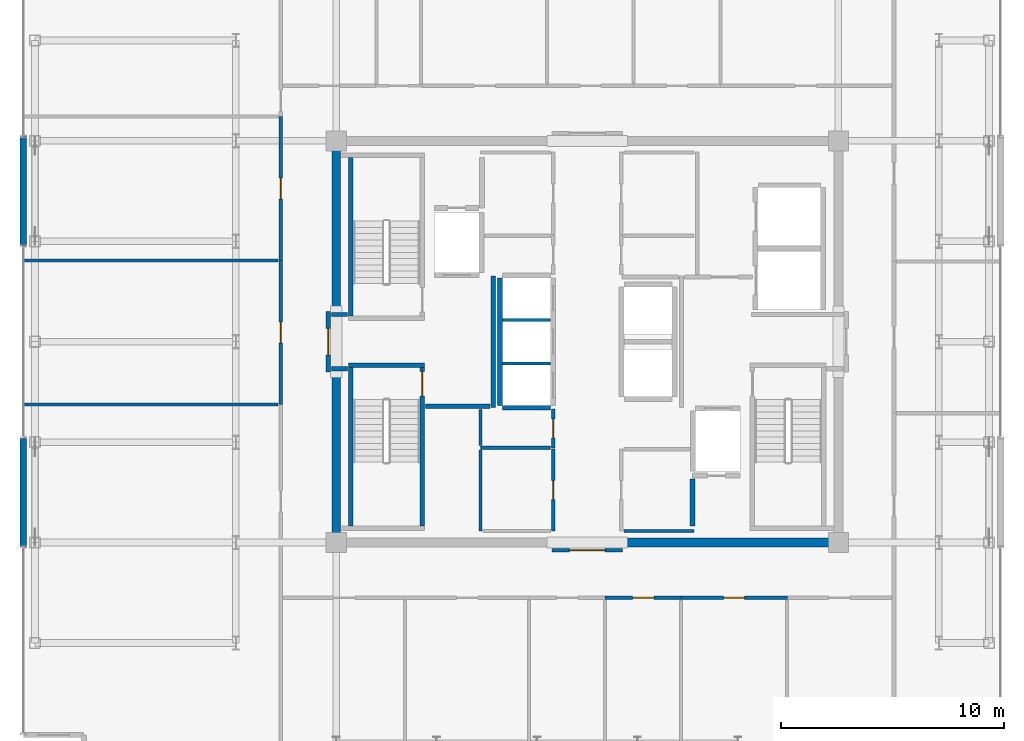
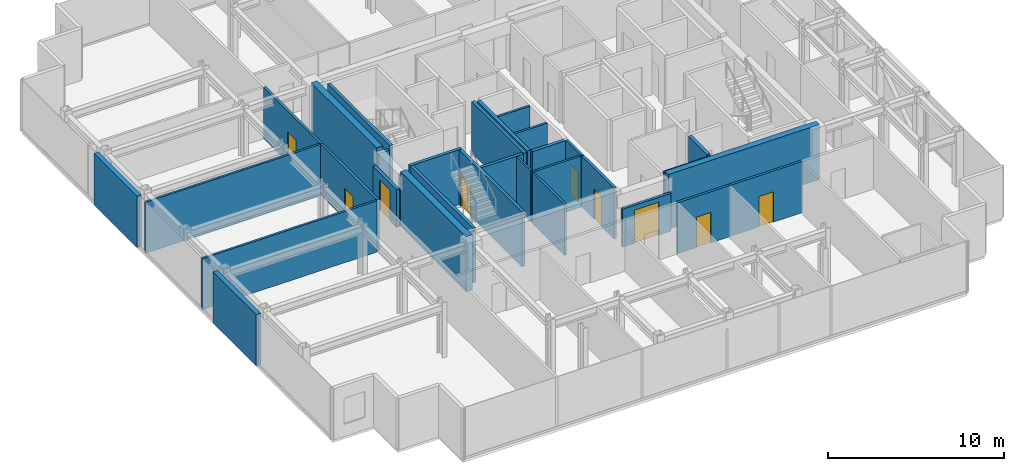
# One storey, part 11 of 16: 32 walls, 9 doors, 9 openings.
"""IFC4 building model written with IfcOpenShell, lengths in metres."""

from ifc_helpers import new_model, si_unit, direction, frame, frame_2d, origin, place, context, subcontext, project, spatial, rectangle, extrude, source, transform, mapped, material, layer, layer_set, type_object, element, fill, save


model = new_model("IFC4")

# Units and contexts
model_context = context("Model", 3, precision=1e-05, world=origin(), true_north=direction((0.0, 1.0)))
body_context = subcontext(model_context, "Body", "Model", "MODEL_VIEW")
ifc_project = project(units=[si_unit("LENGTHUNIT", "METRE"), si_unit("AREAUNIT", "SQUARE_METRE"), si_unit("VOLUMEUNIT", "CUBIC_METRE"), si_unit("PLANEANGLEUNIT", "RADIAN"), si_unit("MASSUNIT", "GRAM", prefix="KILO")], contexts=[model_context])

# Site, building, storey
site_placement = place(None, origin())
site = spatial("IfcSite", under=ifc_project, at=site_placement, CompositionType="ELEMENT")
building_placement = place(site_placement, origin())
building = spatial("IfcBuilding", under=site, at=building_placement, Name="Nefas-Gora Pilgrimage Tower", CompositionType="ELEMENT")
storey_placement = place(building_placement, frame((0.0, 0.0, 333.800048828125)))
storey = spatial("IfcBuildingStorey", under=building, at=storey_placement, Name="L84", CompositionType="ELEMENT", Elevation=333.800048828125)

# Walls
ifc_material_1 = material(Name="Concrete C50/60", Category="concrete")
ifc_layer_1 = layer(ifc_material_1, 0.39990234375)
ifc_layer_set_1 = layer_set([ifc_layer_1], Name="Concrete C50/60")
wall_type_1 = type_object("IfcWallType", Name="SW-CORE-400", PredefinedType="SHEAR", material=ifc_layer_set_1)
shared_shape_1 = source(origin(), body_context, "Body", "SweptSolid", [
    extrude(rectangle(XDim=9.89990234375, YDim=0.39990234375, at=frame_2d((4.949951171875, 0.0))), origin(), (0.0, 0.0, 1.0), 3.800048828125),
])
wall_1_placement = place(storey_placement, frame((1.550048828125, -9.0, 0.0), z_axis=(0.0, 0.0, 1.0), x_axis=(1.0, 0.0, 0.0)))
element("IfcWall", 1, at=wall_1_placement, inside=storey, type_object=wall_type_1, Name="L84 Core Shear Wall S-East", PredefinedType="SHEAR", context=body_context, shape_type="MappedRepresentation", body=[
    mapped(shared_shape_1, transform((0.0, 0.0, 0.0), x_axis=(1.0, 0.0, 0.0), y_axis=(0.0, 1.0, 0.0), z_axis=(0.0, 0.0, 1.0), scale=1.0)),
])
shared_shape_2 = source(origin(), body_context, "Body", "SweptSolid", [
    extrude(rectangle(XDim=7.449951171875, YDim=0.39990234375, at=frame_2d((3.72509765625, 0.0))), origin(), (0.0, 0.0, 1.0), 3.800048828125),
])
for number, where, z_axis, x_axis, name in (
    (2, (-11.25, -8.800048828125, 0.0), (0.0, 0.0, 1.0), (0.0, 1.0, 0.0), "L84 Core Shear Wall W-South"),
    (3, (-11.25, 1.35009765625, 0.0), (0.0, 0.0, 1.0), (0.0, 1.0, 0.0), "L84 Core Shear Wall W-North"),
):
    element("IfcWall", number, at=place(storey_placement, frame(where, z_axis=z_axis, x_axis=x_axis)), inside=storey, type_object=wall_type_1, Name=name, PredefinedType="SHEAR", context=body_context, shape_type="MappedRepresentation", body=[
        mapped(shared_shape_2, transform((0.0, 0.0, 0.0), x_axis=(1.0, 0.0, 0.0), y_axis=(0.0, 1.0, 0.0), z_axis=(0.0, 0.0, 1.0), scale=1.0)),
    ])
ifc_material_2 = material(Name="Precast concrete C45/55", Category="concrete")
ifc_layer_2 = layer(ifc_material_2, 0.239990234375)
ifc_layer_set_2 = layer_set([ifc_layer_2], Name="Precast concrete C45/55")
wall_type_2 = type_object("IfcWallType", Name="EW-SERR-240", PredefinedType="SHEAR", material=ifc_layer_set_2)
shared_shape_3 = source(origin(), body_context, "Body", "SweptSolid", [
    extrude(rectangle(XDim=4.8798828125, YDim=0.300048828125, at=frame_2d((2.43994140625, 0.0))), origin(), (0.0, 0.0, 1.0), 3.550048828125),
])
for number, where, z_axis, x_axis, name in (
    (4, (-25.27001953125, -9.18994140625, 0.0), (0.0, 0.0, 1.0), (0.0, 1.0, 0.0), "L84 Braced-Tube Precast Shear Cladding 1"),
    (5, (-25.27001953125, 4.31005859375, 0.0), (0.0, 0.0, 1.0), (0.0, 1.0, 0.0), "L84 Braced-Tube Precast Shear Cladding 2"),
):
    element("IfcWall", number, at=place(storey_placement, frame(where, z_axis=z_axis, x_axis=x_axis)), inside=storey, type_object=wall_type_2, Name=name, PredefinedType="SHEAR", context=body_context, shape_type="MappedRepresentation", body=[
        mapped(shared_shape_3, transform((0.0, 0.0, 0.0), x_axis=(1.0, 0.0, 0.0), y_axis=(0.0, 1.0, 0.0), z_axis=(0.0, 0.0, 1.0), scale=1.0)),
    ])
ifc_material_3 = material(Name="Concrete C45/55", Category="concrete")
ifc_layer_3 = layer(ifc_material_3, 0.199951171875)
ifc_layer_set_3 = layer_set([ifc_layer_3], Name="Concrete C45/55")
wall_type_3 = type_object("IfcWallType", Name="IW-STAIR-200", PredefinedType="SOLIDWALL", material=ifc_layer_set_3)
shared_shape_4 = source(origin(), body_context, "Body", "SweptSolid", [
    extrude(rectangle(XDim=3.39990234375, YDim=0.199951171875, at=frame_2d((1.699951171875, 0.0))), origin(), (0.0, 0.0, 1.0), 3.800048828125),
])
wall_2_placement = place(storey_placement, frame((-10.699951171875, -1.050048828125, 0.0), z_axis=(0.0, 0.0, 1.0), x_axis=(1.0, 0.0, 0.0)))
element("IfcWall", 6, at=wall_2_placement, inside=storey, type_object=wall_type_3, Name="L84 Stairwell Shear Wall ST-03-near", PredefinedType="SOLIDWALL", context=body_context, shape_type="MappedRepresentation", body=[
    mapped(shared_shape_4, transform((0.0, 0.0, 0.0), x_axis=(1.0, 0.0, 0.0), y_axis=(0.0, 1.0, 0.0), z_axis=(0.0, 0.0, 1.0), scale=1.0)),
])
shared_shape_5 = source(origin(), body_context, "Body", "SweptSolid", [
    extrude(rectangle(XDim=7.10009765625, YDim=0.199951171875, at=frame_2d((3.550048828125, 0.0))), origin(), (0.0, 0.0, 1.0), 3.800048828125),
])
for number, where, z_axis, x_axis, name in (
    (7, (-10.60009765625, 1.14990234375, 0.0), (0.0, 0.0, 1.0), (0.0, 1.0, 0.0), "L84 Stairwell Shear Wall ST-01-right"),
    (8, (-10.60009765625, -1.14990234375, 0.0), (0.0, 0.0, 1.0), (0.0, -1.0, 0.0), "L84 Stairwell Shear Wall ST-03-left"),
):
    element("IfcWall", number, at=place(storey_placement, frame(where, z_axis=z_axis, x_axis=x_axis)), inside=storey, type_object=wall_type_3, Name=name, PredefinedType="SOLIDWALL", context=body_context, shape_type="MappedRepresentation", body=[
        mapped(shared_shape_5, transform((0.0, 0.0, 0.0), x_axis=(1.0, 0.0, 0.0), y_axis=(0.0, 1.0, 0.0), z_axis=(0.0, 0.0, 1.0), scale=1.0)),
    ])

# Wall, opening, door
wall_3_placement = place(storey_placement, frame((-7.39990234375, -1.14990234375, 0.0), z_axis=(0.0, 0.0, 1.0), x_axis=(0.0, -1.0, 0.0)))
wall_3 = element("IfcWall", 9, at=wall_3_placement, inside=storey, type_object=wall_type_3, Name="L84 Stairwell Shear Wall ST-03-right", PredefinedType="SOLIDWALL", context=body_context, shape_type="MappedRepresentation", body=[
    mapped(shared_shape_5, transform((0.0, 0.0, 0.0), x_axis=(1.0, 0.0, 0.0), y_axis=(0.0, 1.0, 0.0), z_axis=(0.0, 0.0, 1.0), scale=1.0)),
])
opening_1_placement = place(wall_3_placement, frame((0.179931640625, 0.0, 0.0)))
opening_1 = element("IfcOpeningElement", 10, at=opening_1_placement, cuts=wall_3, Name="Opening ID-ST1", PredefinedType="OPENING", context=body_context, shape_type="SweptSolid", body=[
    extrude(rectangle(XDim=1.10009765625, YDim=2.14990234375, at=frame_2d((0.550048828125, 1.074951171875))), frame((0.0, 0.10986328125, 0.0), z_axis=(0.0, -1.0, 0.0), x_axis=(1.0, 0.0, 0.0)), (0.0, 0.0, 1.0), 0.219970703125),
])
ifc_material_4 = material(Name="Painted galvanised steel fire stair door", Category="steel")
door_type_1 = type_object("IfcDoorType", Name="DR-INT-STAIR-1100", OperationType="NOTDEFINED", PredefinedType="DOOR", material=ifc_material_4)
shared_shape_6 = source(origin(), body_context, "Body", "SweptSolid", [
    extrude(rectangle(XDim=1.10009765625, YDim=2.14990234375, at=frame_2d((0.550048828125, 1.074951171875))), frame((0.0, 0.02490234375, 0.0), z_axis=(0.0, -1.0, 0.0), x_axis=(1.0, 0.0, 0.0)), (0.0, 0.0, 1.0), 0.050048828125),
])
door_1_placement = place(opening_1_placement, origin())
door_1 = element("IfcDoor", 11, at=door_1_placement, inside=storey, type_object=door_type_1, Name="L84 Protected Exit Stair Door ST-03", OperationType="SINGLE_SWING_RIGHT", OverallHeight=2.14990234375, OverallWidth=1.10009765625, PredefinedType="DOOR", context=body_context, shape_type="MappedRepresentation", body=[
    mapped(shared_shape_6, transform((0.0, 0.0, 0.0), x_axis=(1.0, 0.0, 0.0), y_axis=(0.0, 1.0, 0.0), z_axis=(0.0, 0.0, 1.0), scale=1.0)),
])
fill(opening_1, door_1)

# Walls
ifc_material_5 = material(Name="Concrete C40/50", Category="concrete")
ifc_layer_4 = layer(ifc_material_5, 0.219970703125)
ifc_layer_set_4 = layer_set([ifc_layer_4], Name="Concrete C40/50")
wall_type_4 = type_object("IfcWallType", Name="IW-SHAFT-220", PredefinedType="SOLIDWALL", material=ifc_layer_set_4)
shared_shape_7 = source(origin(), body_context, "Body", "SweptSolid", [
    extrude(rectangle(XDim=5.7001953125, YDim=0.219970703125, at=frame_2d((2.85009765625, 0.0))), origin(), (0.0, 0.0, 1.0), 3.534912109375),
])
wall_4_placement = place(storey_placement, frame((-3.909912109375, 2.85009765625, 0.0), z_axis=(0.0, 0.0, 1.0), x_axis=(0.0, -1.0, 0.0)))
element("IfcWall", 12, at=wall_4_placement, inside=storey, type_object=wall_type_4, Name="L84 Hoistway Wall PL3-01-03-W", PredefinedType="SOLIDWALL", context=body_context, shape_type="MappedRepresentation", body=[
    mapped(shared_shape_7, transform((0.0, 0.0, 0.0), x_axis=(1.0, 0.0, 0.0), y_axis=(0.0, 1.0, 0.0), z_axis=(0.0, 0.0, 1.0), scale=1.0)),
])
shared_shape_8 = source(origin(), body_context, "Body", "SweptSolid", [
    extrude(rectangle(XDim=2.130126953125, YDim=0.219970703125, at=frame_2d((1.06494140625, 0.0))), origin(), (0.0, 0.0, 1.0), 3.534912109375),
])
wall_5_placement = place(storey_placement, frame((-3.7900390625, -2.9599609375, 0.0), z_axis=(0.0, 0.0, 1.0), x_axis=(1.0, 0.0, 0.0)))
element("IfcWall", 13, at=wall_5_placement, inside=storey, type_object=wall_type_4, Name="L84 Hoistway Wall PL3-01-S", PredefinedType="SOLIDWALL", context=body_context, shape_type="MappedRepresentation", body=[
    mapped(shared_shape_8, transform((0.0, 0.0, 0.0), x_axis=(1.0, 0.0, 0.0), y_axis=(0.0, 1.0, 0.0), z_axis=(0.0, 0.0, 1.0), scale=1.0)),
])
ifc_material_6 = material(Name="Gypsum twin-stud partition")
ifc_layer_5 = layer(ifc_material_6, 0.139892578125)
ifc_layer_set_5 = layer_set([ifc_layer_5], Name="Gypsum twin-stud partition")
wall_type_5 = type_object("IfcWallType", Name="IW-UNIT-140", PredefinedType="PARTITIONING", material=ifc_layer_set_5)
shared_shape_9 = source(origin(), body_context, "Body", "SweptSolid", [
    extrude(rectangle(XDim=2.130126953125, YDim=0.139892578125, at=frame_2d((1.06494140625, 0.0))), origin(), (0.0, 0.0, 1.0), 3.534912109375),
])
for number, where, z_axis, x_axis, name in (
    (14, (-3.7900390625, -0.97509765625, 0.0), (0.0, 0.0, 1.0), (1.0, 0.0, 0.0), "L84 Hoistway Wall PL3-01-02-DIV"),
    (15, (-3.7900390625, 0.97509765625, 0.0), (0.0, 0.0, 1.0), (1.0, 0.0, 0.0), "L84 Hoistway Wall PL3-02-03-DIV"),
):
    element("IfcWall", number, at=place(storey_placement, frame(where, z_axis=z_axis, x_axis=x_axis)), inside=storey, type_object=wall_type_5, Name=name, PredefinedType="PARTITIONING", context=body_context, shape_type="MappedRepresentation", body=[
        mapped(shared_shape_9, transform((0.0, 0.0, 0.0), x_axis=(1.0, 0.0, 0.0), y_axis=(0.0, 1.0, 0.0), z_axis=(0.0, 0.0, 1.0), scale=1.0)),
    ])
ifc_material_7 = material(Name="Gypsum fire-rated shaftwall")
ifc_layer_6 = layer(ifc_material_7, 0.199951171875)
ifc_layer_set_6 = layer_set([ifc_layer_6], Name="Gypsum fire-rated shaftwall")
wall_type_6 = type_object("IfcWallType", Name="IW-FFLOB-200", PredefinedType="PARTITIONING", material=ifc_layer_set_6)
shared_shape_10 = source(origin(), body_context, "Body", "SweptSolid", [
    extrude(rectangle(XDim=5.89990234375, YDim=0.199951171875, at=frame_2d((2.949951171875, 0.0))), origin(), (0.0, 0.0, 1.0), 3.534912109375),
])
wall_6_placement = place(storey_placement, frame((-4.219970703125, -2.949951171875, 0.0), z_axis=(0.0, 0.0, 1.0), x_axis=(0.0, 1.0, 0.0)))
element("IfcWall", 16, at=wall_6_placement, inside=storey, type_object=wall_type_6, Name="L84 FF Lobby West Inner Wall Wall 6", PredefinedType="PARTITIONING", context=body_context, shape_type="MappedRepresentation", body=[
    mapped(shared_shape_10, transform((0.0, 0.0, 0.0), x_axis=(1.0, 0.0, 0.0), y_axis=(0.0, 1.0, 0.0), z_axis=(0.0, 0.0, 1.0), scale=1.0)),
])
shared_shape_11 = source(origin(), body_context, "Body", "SweptSolid", [
    extrude(rectangle(XDim=2.89990234375, YDim=0.199951171875, at=frame_2d((1.449951171875, 0.0))), origin(), (0.0, 0.0, 1.0), 3.534912109375),
])
wall_7_placement = place(storey_placement, frame((-7.260009765625, -2.89990234375, 0.0), z_axis=(0.0, 0.0, 1.0), x_axis=(1.0, 0.0, 0.0)))
element("IfcWall", 17, at=wall_7_placement, inside=storey, type_object=wall_type_6, Name="L84 FF Lobby West South Wall Wall 7", PredefinedType="PARTITIONING", context=body_context, shape_type="MappedRepresentation", body=[
    mapped(shared_shape_11, transform((0.0, 0.0, 0.0), x_axis=(1.0, 0.0, 0.0), y_axis=(0.0, 1.0, 0.0), z_axis=(0.0, 0.0, 1.0), scale=1.0)),
])
shared_shape_12 = source(origin(), body_context, "Body", "SweptSolid", [
    extrude(rectangle(XDim=0.719970703125, YDim=0.199951171875, at=frame_2d((0.35986328125, 0.0))), origin(), (0.0, 0.0, 1.0), 3.534912109375),
])
for number, where, z_axis, x_axis, name in (
    (18, (-11.4599609375, 1.219970703125, 0.0), (0.0, 0.0, 1.0), (1.0, 0.0, 0.0), "L84 FF Lobby West Throat N Wall 8"),
    (19, (-11.4599609375, -1.219970703125, 0.0), (0.0, 0.0, 1.0), (1.0, 0.0, 0.0), "L84 FF Lobby West Throat S Wall 9"),
):
    element("IfcWall", number, at=place(storey_placement, frame(where, z_axis=z_axis, x_axis=x_axis)), inside=storey, type_object=wall_type_6, Name=name, PredefinedType="PARTITIONING", context=body_context, shape_type="MappedRepresentation", body=[
        mapped(shared_shape_12, transform((0.0, 0.0, 0.0), x_axis=(1.0, 0.0, 0.0), y_axis=(0.0, 1.0, 0.0), z_axis=(0.0, 0.0, 1.0), scale=1.0)),
    ])
shared_shape_13 = source(origin(), body_context, "Body", "SweptSolid", [
    extrude(rectangle(XDim=3.150146484375, YDim=0.139892578125, at=frame_2d((1.5751953125, 0.0))), origin(), (0.0, 0.0, 1.0), 3.534912109375),
])
for number, where, z_axis, x_axis, name in (
    (20, (-4.7900390625, -4.75, 0.0), (0.0, 0.0, 1.0), (1.0, 0.0, 0.0), "L84 Guest Self-Service Laundry Room Partition Wall 32"),
    (21, (1.639892578125, -8.47998046875, 0.0), (0.0, 0.0, 1.0), (1.0, 0.0, 0.0), "L84 High-Rise Tableware Store Partition Wall 39"),
):
    element("IfcWall", number, at=place(storey_placement, frame(where, z_axis=z_axis, x_axis=x_axis)), inside=storey, type_object=wall_type_5, Name=name, PredefinedType="PARTITIONING", context=body_context, shape_type="MappedRepresentation", body=[
        mapped(shared_shape_13, transform((0.0, 0.0, 0.0), x_axis=(1.0, 0.0, 0.0), y_axis=(0.0, 1.0, 0.0), z_axis=(0.0, 0.0, 1.0), scale=1.0)),
    ])

# Wall, opening, door
ifc_material_8 = material(Name="Gypsum acoustic stud partition")
ifc_layer_7 = layer(ifc_material_8, 0.159912109375)
ifc_layer_set_7 = layer_set([ifc_layer_7], Name="Gypsum acoustic stud partition")
wall_type_7 = type_object("IfcWallType", Name="IW-CORR-160", PredefinedType="PARTITIONING", material=ifc_layer_set_7)
shared_shape_14 = source(origin(), body_context, "Body", "SweptSolid", [
    extrude(rectangle(XDim=3.405029296875, YDim=0.159912109375, at=frame_2d((1.70263671875, 0.0))), origin(), (0.0, 0.0, 1.0), 3.534912109375),
])
wall_8_placement = place(storey_placement, frame((0.800048828125, -11.469970703125, 0.0), z_axis=(0.0, 0.0, 1.0), x_axis=(1.0, 0.0, 0.0)))
wall_8 = element("IfcWall", 22, at=wall_8_placement, inside=storey, type_object=wall_type_7, Name="L84 Pilgrim Contemplative Lounge Partition Wall 69", PredefinedType="PARTITIONING", context=body_context, shape_type="MappedRepresentation", body=[
    mapped(shared_shape_14, transform((0.0, 0.0, 0.0), x_axis=(1.0, 0.0, 0.0), y_axis=(0.0, 1.0, 0.0), z_axis=(0.0, 0.0, 1.0), scale=1.0)),
])
opening_2_placement = place(wall_8_placement, frame((1.2275390625, 0.0, 0.0)))
opening_2 = element("IfcOpeningElement", 23, at=opening_2_placement, cuts=wall_8, Name="Opening ID-GR1", PredefinedType="OPENING", context=body_context, shape_type="SweptSolid", body=[
    extrude(rectangle(XDim=0.949951171875, YDim=2.10009765625, at=frame_2d((0.47509765625, 1.050048828125))), frame((0.0, 0.08984375, 0.0), z_axis=(0.0, -1.0, 0.0), x_axis=(1.0, 0.0, 0.0)), (0.0, 0.0, 1.0), 0.179931640625),
])
ifc_material_9 = material(Name="Solid core oak fire-rated guest entrance door")
door_type_2 = type_object("IfcDoorType", Name="DR-INT-GUEST-950", OperationType="NOTDEFINED", PredefinedType="DOOR", material=ifc_material_9)
shared_shape_15 = source(origin(), body_context, "Body", "SweptSolid", [
    extrude(rectangle(XDim=0.949951171875, YDim=2.10009765625, at=frame_2d((0.47509765625, 1.050048828125))), frame((0.0, 0.02490234375, 0.0), z_axis=(0.0, -1.0, 0.0), x_axis=(1.0, 0.0, 0.0)), (0.0, 0.0, 1.0), 0.050048828125),
])
door_2_placement = place(opening_2_placement, origin())
door_2 = element("IfcDoor", 24, at=door_2_placement, inside=storey, type_object=door_type_2, Name="L84 Pilgrim Contemplative Lounge Door 32", OperationType="SINGLE_SWING_RIGHT", OverallHeight=2.10009765625, OverallWidth=0.949951171875, PredefinedType="DOOR", context=body_context, shape_type="MappedRepresentation", body=[
    mapped(shared_shape_15, transform((0.0, 0.0, 0.0), x_axis=(1.0, 0.0, 0.0), y_axis=(0.0, 1.0, 0.0), z_axis=(0.0, 0.0, 1.0), scale=1.0)),
])
fill(opening_2, door_2)

shared_shape_16 = source(origin(), body_context, "Body", "SweptSolid", [
    extrude(rectangle(XDim=4.764892578125, YDim=0.159912109375, at=frame_2d((2.38232421875, 0.0))), origin(), (0.0, 0.0, 1.0), 3.534912109375),
])
wall_9_placement = place(storey_placement, frame((4.195068359375, -11.469970703125, 0.0), z_axis=(0.0, 0.0, 1.0), x_axis=(1.0, 0.0, 0.0)))
wall_9 = element("IfcWall", 25, at=wall_9_placement, inside=storey, type_object=wall_type_7, Name="L84 Pilgrim Contemplative Lounge Partition Wall 71", PredefinedType="PARTITIONING", context=body_context, shape_type="MappedRepresentation", body=[
    mapped(shared_shape_16, transform((0.0, 0.0, 0.0), x_axis=(1.0, 0.0, 0.0), y_axis=(0.0, 1.0, 0.0), z_axis=(0.0, 0.0, 1.0), scale=1.0)),
])
opening_3_placement = place(wall_9_placement, frame((1.907470703125, 0.0, 0.0)))
opening_3 = element("IfcOpeningElement", 26, at=opening_3_placement, cuts=wall_9, Name="Opening ID-GR1", PredefinedType="OPENING", context=body_context, shape_type="SweptSolid", body=[
    extrude(rectangle(XDim=0.949951171875, YDim=2.10009765625, at=frame_2d((0.47509765625, 1.050048828125))), frame((0.0, 0.08984375, 0.0), z_axis=(0.0, -1.0, 0.0), x_axis=(1.0, 0.0, 0.0)), (0.0, 0.0, 1.0), 0.179931640625),
])
door_3_placement = place(opening_3_placement, origin())
door_3 = element("IfcDoor", 27, at=door_3_placement, inside=storey, type_object=door_type_2, Name="L84 Pilgrim Contemplative Lounge Door 33", OperationType="SINGLE_SWING_LEFT", OverallHeight=2.10009765625, OverallWidth=0.949951171875, PredefinedType="DOOR", context=body_context, shape_type="MappedRepresentation", body=[
    mapped(shared_shape_15, transform((0.0, 0.0, 0.0), x_axis=(1.0, 0.0, 0.0), y_axis=(0.0, 1.0, 0.0), z_axis=(0.0, 0.0, 1.0), scale=1.0)),
])
fill(opening_3, door_3)

# Walls
shared_shape_17 = source(origin(), body_context, "Body", "SweptSolid", [
    extrude(rectangle(XDim=11.429931640625, YDim=0.139892578125, at=frame_2d((5.71484375, 0.0))), origin(), (0.0, 0.0, 1.0), 3.534912109375),
])
for number, where, z_axis, x_axis, name in (
    (28, (-25.2900390625, -2.804931640625, 0.0), (0.0, 0.0, 1.0), (1.0, 0.0, 0.0), "L84 Pilgrim Floor Concierge Foyer Partition Wall 44"),
    (29, (-25.2900390625, 3.63134765625, 0.0), (0.0, 0.0, 1.0), (1.0, 0.0, 0.0), "L84 Pilgrim Floor Concierge Foyer Partition Wall 48"),
):
    element("IfcWall", number, at=place(storey_placement, frame(where, z_axis=z_axis, x_axis=x_axis)), inside=storey, type_object=wall_type_5, Name=name, PredefinedType="PARTITIONING", context=body_context, shape_type="MappedRepresentation", body=[
        mapped(shared_shape_17, transform((0.0, 0.0, 0.0), x_axis=(1.0, 0.0, 0.0), y_axis=(0.0, 1.0, 0.0), z_axis=(0.0, 0.0, 1.0), scale=1.0)),
    ])

# Wall, opening, door
shared_shape_18 = source(origin(), body_context, "Body", "SweptSolid", [
    extrude(rectangle(XDim=1.75, YDim=0.159912109375, at=frame_2d((0.875, 0.0))), origin(), (0.0, 0.0, 1.0), 3.534912109375),
])
wall_10_placement = place(storey_placement, frame((-1.52001953125, -4.760009765625, 0.0), z_axis=(0.0, 0.0, 1.0), x_axis=(0.0, 1.0, 0.0)))
wall_10 = element("IfcWall", 30, at=wall_10_placement, inside=storey, type_object=wall_type_7, Name="L84 Guest Self-Service Laundry Room Wall 31", PredefinedType="PARTITIONING", context=body_context, shape_type="MappedRepresentation", body=[
    mapped(shared_shape_18, transform((0.0, 0.0, 0.0), x_axis=(1.0, 0.0, 0.0), y_axis=(0.0, 1.0, 0.0), z_axis=(0.0, 0.0, 1.0), scale=1.0)),
])
opening_4_placement = place(wall_10_placement, frame((0.449951171875, 0.0, 0.0)))
opening_4 = element("IfcOpeningElement", 31, at=opening_4_placement, cuts=wall_10, Name="Opening ID-BT1", PredefinedType="OPENING", context=body_context, shape_type="SweptSolid", body=[
    extrude(rectangle(XDim=0.85009765625, YDim=2.10009765625, at=frame_2d((0.425048828125, 1.050048828125))), frame((0.0, 0.08984375, 0.0), z_axis=(0.0, -1.0, 0.0), x_axis=(1.0, 0.0, 0.0)), (0.0, 0.0, 1.0), 0.179931640625),
])
ifc_material_10 = material(Name="Moisture-resistant fire-rated timber door", Category="wood")
door_type_3 = type_object("IfcDoorType", Name="DR-INT-BATH-850", OperationType="NOTDEFINED", PredefinedType="DOOR", material=ifc_material_10)
shared_shape_19 = source(origin(), body_context, "Body", "SweptSolid", [
    extrude(rectangle(XDim=0.85009765625, YDim=2.10009765625, at=frame_2d((0.425048828125, 1.050048828125))), frame((0.0, 0.02490234375, 0.0), z_axis=(0.0, -1.0, 0.0), x_axis=(1.0, 0.0, 0.0)), (0.0, 0.0, 1.0), 0.050048828125),
])
door_4_placement = place(opening_4_placement, origin())
door_4 = element("IfcDoor", 32, at=door_4_placement, inside=storey, type_object=door_type_3, Name="L84 Guest Self-Service Laundry Room Door 13", OperationType="SINGLE_SWING_LEFT", OverallHeight=2.10009765625, OverallWidth=0.85009765625, PredefinedType="DOOR", context=body_context, shape_type="MappedRepresentation", body=[
    mapped(shared_shape_19, transform((0.0, 0.0, 0.0), x_axis=(1.0, 0.0, 0.0), y_axis=(0.0, 1.0, 0.0), z_axis=(0.0, 0.0, 1.0), scale=1.0)),
])
fill(opening_4, door_4)

shared_shape_20 = source(origin(), body_context, "Body", "SweptSolid", [
    extrude(rectangle(XDim=3.679931640625, YDim=0.159912109375, at=frame_2d((1.83984375, 0.0))), origin(), (0.0, 0.0, 1.0), 3.534912109375),
])
wall_11_placement = place(storey_placement, frame((-1.52001953125, -8.489990234375, 0.0), z_axis=(0.0, 0.0, 1.0), x_axis=(0.0, 1.0, 0.0)))
wall_11 = element("IfcWall", 33, at=wall_11_placement, inside=storey, type_object=wall_type_7, Name="L84 High-Rise Linen Store Wall 34", PredefinedType="PARTITIONING", context=body_context, shape_type="MappedRepresentation", body=[
    mapped(shared_shape_20, transform((0.0, 0.0, 0.0), x_axis=(1.0, 0.0, 0.0), y_axis=(0.0, 1.0, 0.0), z_axis=(0.0, 0.0, 1.0), scale=1.0)),
])
opening_5_placement = place(wall_11_placement, frame((1.4150390625, 0.0, 0.0)))
opening_5 = element("IfcOpeningElement", 34, at=opening_5_placement, cuts=wall_11, Name="Opening ID-BT1", PredefinedType="OPENING", context=body_context, shape_type="SweptSolid", body=[
    extrude(rectangle(XDim=0.85009765625, YDim=2.10009765625, at=frame_2d((0.425048828125, 1.050048828125))), frame((0.0, 0.08984375, 0.0), z_axis=(0.0, -1.0, 0.0), x_axis=(1.0, 0.0, 0.0)), (0.0, 0.0, 1.0), 0.179931640625),
])
door_5_placement = place(opening_5_placement, origin())
door_5 = element("IfcDoor", 35, at=door_5_placement, inside=storey, type_object=door_type_3, Name="L84 High-Rise Linen Store Door 14", OperationType="SINGLE_SWING_RIGHT", OverallHeight=2.10009765625, OverallWidth=0.85009765625, PredefinedType="DOOR", context=body_context, shape_type="MappedRepresentation", body=[
    mapped(shared_shape_19, transform((0.0, 0.0, 0.0), x_axis=(1.0, 0.0, 0.0), y_axis=(0.0, 1.0, 0.0), z_axis=(0.0, 0.0, 1.0), scale=1.0)),
])
fill(opening_5, door_5)

shared_shape_21 = source(origin(), body_context, "Body", "SweptSolid", [
    extrude(rectangle(XDim=2.7001953125, YDim=0.199951171875, at=frame_2d((1.35009765625, 0.0))), origin(), (0.0, 0.0, 1.0), 2.625),
])
wall_12_placement = place(storey_placement, frame((-11.60009765625, -1.35009765625, 0.0), z_axis=(0.0, 0.0, 1.0), x_axis=(0.0, 1.0, 0.0)))
wall_12 = element("IfcWall", 36, at=wall_12_placement, inside=storey, type_object=wall_type_6, Name="L84 FF Lobby West Portal Wall 5", PredefinedType="PARTITIONING", context=body_context, shape_type="MappedRepresentation", body=[
    mapped(shared_shape_21, transform((0.0, 0.0, 0.0), x_axis=(1.0, 0.0, 0.0), y_axis=(0.0, 1.0, 0.0), z_axis=(0.0, 0.0, 1.0), scale=1.0)),
])
opening_6_placement = place(wall_12_placement, frame((0.75, 0.0, 0.0)))
opening_6 = element("IfcOpeningElement", 37, at=opening_6_placement, cuts=wall_12, Name="Opening ID-FF1", PredefinedType="OPENING", context=body_context, shape_type="SweptSolid", body=[
    extrude(rectangle(XDim=1.199951171875, YDim=2.14990234375, at=frame_2d((0.60009765625, 1.074951171875))), frame((0.0, 0.10986328125, 0.0), z_axis=(0.0, -1.0, 0.0), x_axis=(1.0, 0.0, 0.0)), (0.0, 0.0, 1.0), 0.219970703125),
])
ifc_material_11 = material(Name="Smoke-sealed steel firefighting lobby door", Category="steel")
door_type_4 = type_object("IfcDoorType", Name="DR-INT-FFLOB-1200", OperationType="NOTDEFINED", PredefinedType="DOOR", material=ifc_material_11)
shared_shape_22 = source(origin(), body_context, "Body", "SweptSolid", [
    extrude(rectangle(XDim=1.199951171875, YDim=2.14990234375, at=frame_2d((0.60009765625, 1.074951171875))), frame((0.0, 0.02490234375, 0.0), z_axis=(0.0, -1.0, 0.0), x_axis=(1.0, 0.0, 0.0)), (0.0, 0.0, 1.0), 0.050048828125),
])
door_6_placement = place(opening_6_placement, origin())
door_6 = element("IfcDoor", 38, at=door_6_placement, inside=storey, type_object=door_type_4, Name="L84 FF Lobby West Portal Door 3", OperationType="SINGLE_SWING_LEFT", OverallHeight=2.14990234375, OverallWidth=1.199951171875, PredefinedType="DOOR", context=body_context, shape_type="MappedRepresentation", body=[
    mapped(shared_shape_22, transform((0.0, 0.0, 0.0), x_axis=(1.0, 0.0, 0.0), y_axis=(0.0, 1.0, 0.0), z_axis=(0.0, 0.0, 1.0), scale=1.0)),
])
fill(opening_6, door_6)

shared_shape_23 = source(origin(), body_context, "Body", "SweptSolid", [
    extrude(rectangle(XDim=3.16015625, YDim=0.159912109375, at=frame_2d((1.580078125, 0.0))), origin(), (0.0, 0.0, 1.0), 2.625),
])
wall_13_placement = place(storey_placement, frame((-1.580078125, -9.35009765625, 0.0), z_axis=(0.0, 0.0, 1.0), x_axis=(1.0, 0.0, 0.0)))
wall_13 = element("IfcWall", 39, at=wall_13_placement, inside=storey, type_object=wall_type_7, Name="L84 Central Lift Lobby South Portal Wall 17", PredefinedType="PARTITIONING", context=body_context, shape_type="MappedRepresentation", body=[
    mapped(shared_shape_23, transform((0.0, 0.0, 0.0), x_axis=(1.0, 0.0, 0.0), y_axis=(0.0, 1.0, 0.0), z_axis=(0.0, 0.0, 1.0), scale=1.0)),
])
opening_7_placement = place(wall_13_placement, frame((0.780029296875, 0.0, 0.0)))
opening_7 = element("IfcOpeningElement", 40, at=opening_7_placement, cuts=wall_13, Name="Opening ID-HL1", PredefinedType="OPENING", context=body_context, shape_type="SweptSolid", body=[
    extrude(rectangle(XDim=1.60009765625, YDim=2.300048828125, at=frame_2d((0.800048828125, 1.14990234375))), frame((0.0, 0.08984375, 0.0), z_axis=(0.0, -1.0, 0.0), x_axis=(1.0, 0.0, 0.0)), (0.0, 0.0, 1.0), 0.179931640625),
])
ifc_material_12 = material(Name="Double acoustic timber assembly hall door", Category="wood")
door_type_5 = type_object("IfcDoorType", Name="DR-INT-HALL-1600", OperationType="DOUBLE_DOOR_SINGLE_SWING", PredefinedType="DOOR", material=ifc_material_12)
shared_shape_24 = source(origin(), body_context, "Body", "SweptSolid", [
    extrude(rectangle(XDim=1.60009765625, YDim=2.300048828125, at=frame_2d((0.800048828125, 1.14990234375))), frame((0.0, 0.02490234375, 0.0), z_axis=(0.0, -1.0, 0.0), x_axis=(1.0, 0.0, 0.0)), (0.0, 0.0, 1.0), 0.050048828125),
])
door_7_placement = place(opening_7_placement, origin())
door_7 = element("IfcDoor", 41, at=door_7_placement, inside=storey, type_object=door_type_5, Name="L84 Central Lift Lobby South Portal Door 7", OperationType="DOUBLE_DOOR_SINGLE_SWING", OverallHeight=2.300048828125, OverallWidth=1.60009765625, PredefinedType="DOOR", context=body_context, shape_type="MappedRepresentation", body=[
    mapped(shared_shape_24, transform((0.0, 0.0, 0.0), x_axis=(1.0, 0.0, 0.0), y_axis=(0.0, 1.0, 0.0), z_axis=(0.0, 0.0, 1.0), scale=1.0)),
])
fill(opening_7, door_7)

shared_shape_25 = source(origin(), body_context, "Body", "SweptSolid", [
    extrude(rectangle(XDim=6.4462890625, YDim=0.159912109375, at=frame_2d((3.22314453125, 0.0))), origin(), (0.0, 0.0, 1.0), 3.534912109375),
])
wall_14_placement = place(storey_placement, frame((-13.739990234375, -2.804931640625, 0.0), z_axis=(0.0, 0.0, 1.0), x_axis=(0.0, 1.0, 0.0)))
wall_14 = element("IfcWall", 42, at=wall_14_placement, inside=storey, type_object=wall_type_7, Name="L84 Pilgrim Floor Concierge Foyer Partition Wall 47", PredefinedType="PARTITIONING", context=body_context, shape_type="MappedRepresentation", body=[
    mapped(shared_shape_25, transform((0.0, 0.0, 0.0), x_axis=(1.0, 0.0, 0.0), y_axis=(0.0, 1.0, 0.0), z_axis=(0.0, 0.0, 1.0), scale=1.0)),
])
opening_8_placement = place(wall_14_placement, frame((2.748291015625, 0.0, 0.0)))
opening_8 = element("IfcOpeningElement", 43, at=opening_8_placement, cuts=wall_14, Name="Opening ID-GR1", PredefinedType="OPENING", context=body_context, shape_type="SweptSolid", body=[
    extrude(rectangle(XDim=0.949951171875, YDim=2.10009765625, at=frame_2d((0.47509765625, 1.050048828125))), frame((0.0, 0.08984375, 0.0), z_axis=(0.0, -1.0, 0.0), x_axis=(1.0, 0.0, 0.0)), (0.0, 0.0, 1.0), 0.179931640625),
])
door_8_placement = place(opening_8_placement, origin())
door_8 = element("IfcDoor", 44, at=door_8_placement, inside=storey, type_object=door_type_2, Name="L84 Pilgrim Floor Concierge Foyer Door 19", OperationType="SINGLE_SWING_LEFT", OverallHeight=2.10009765625, OverallWidth=0.949951171875, PredefinedType="DOOR", context=body_context, shape_type="MappedRepresentation", body=[
    mapped(shared_shape_15, transform((0.0, 0.0, 0.0), x_axis=(1.0, 0.0, 0.0), y_axis=(0.0, 1.0, 0.0), z_axis=(0.0, 0.0, 1.0), scale=1.0)),
])
fill(opening_8, door_8)

shared_shape_26 = source(origin(), body_context, "Body", "SweptSolid", [
    extrude(rectangle(XDim=6.446044921875, YDim=0.159912109375, at=frame_2d((3.22314453125, 0.0))), origin(), (0.0, 0.0, 1.0), 3.534912109375),
])
wall_15_placement = place(storey_placement, frame((-13.739990234375, 3.641357421875, 0.0), z_axis=(0.0, 0.0, 1.0), x_axis=(0.0, 1.0, 0.0)))
wall_15 = element("IfcWall", 45, at=wall_15_placement, inside=storey, type_object=wall_type_7, Name="L84 Pilgrim Tea and Beverage Pantry Partition Wall 49", PredefinedType="PARTITIONING", context=body_context, shape_type="MappedRepresentation", body=[
    mapped(shared_shape_26, transform((0.0, 0.0, 0.0), x_axis=(1.0, 0.0, 0.0), y_axis=(0.0, 1.0, 0.0), z_axis=(0.0, 0.0, 1.0), scale=1.0)),
])
opening_9_placement = place(wall_15_placement, frame((2.748046875, 0.0, 0.0)))
opening_9 = element("IfcOpeningElement", 46, at=opening_9_placement, cuts=wall_15, Name="Opening ID-GR1", PredefinedType="OPENING", context=body_context, shape_type="SweptSolid", body=[
    extrude(rectangle(XDim=0.949951171875, YDim=2.10009765625, at=frame_2d((0.47509765625, 1.050048828125))), frame((0.0, 0.08984375, 0.0), z_axis=(0.0, -1.0, 0.0), x_axis=(1.0, 0.0, 0.0)), (0.0, 0.0, 1.0), 0.179931640625),
])
door_9_placement = place(opening_9_placement, origin())
door_9 = element("IfcDoor", 47, at=door_9_placement, inside=storey, type_object=door_type_2, Name="L84 Pilgrim Tea and Beverage Pantry Door 20", OperationType="SINGLE_SWING_RIGHT", OverallHeight=2.10009765625, OverallWidth=0.949951171875, PredefinedType="DOOR", context=body_context, shape_type="MappedRepresentation", body=[
    mapped(shared_shape_15, transform((0.0, 0.0, 0.0), x_axis=(1.0, 0.0, 0.0), y_axis=(0.0, 1.0, 0.0), z_axis=(0.0, 0.0, 1.0), scale=1.0)),
])
fill(opening_9, door_9)

# Walls
shared_shape_27 = source(origin(), body_context, "Body", "SweptSolid", [
    extrude(rectangle(XDim=2.10009765625, YDim=0.219970703125, at=frame_2d((1.050048828125, 0.0))), origin(), (0.0, 0.0, 1.0), 3.534912109375),
])
wall_16_placement = place(storey_placement, frame((4.719970703125, -8.25, 0.0), z_axis=(0.0, 0.0, 1.0), x_axis=(0.0, 1.0, 0.0)))
element("IfcWall", 48, at=wall_16_placement, inside=storey, type_object=wall_type_4, Name="L84 Riser Shaft Wall 4", PredefinedType="SOLIDWALL", context=body_context, shape_type="MappedRepresentation", body=[
    mapped(shared_shape_27, transform((0.0, 0.0, 0.0), x_axis=(1.0, 0.0, 0.0), y_axis=(0.0, 1.0, 0.0), z_axis=(0.0, 0.0, 1.0), scale=1.0)),
])
shared_shape_28 = source(origin(), body_context, "Body", "SweptSolid", [
    extrude(rectangle(XDim=1.599853515625, YDim=0.139892578125, at=frame_2d((0.7998046875, 0.0))), origin(), (0.0, 0.0, 1.0), 3.534912109375),
])
wall_17_placement = place(storey_placement, frame((-4.780029296875, -4.639892578125, 0.0), z_axis=(0.0, 0.0, 1.0), x_axis=(0.0, 1.0, 0.0)))
element("IfcWall", 49, at=wall_17_placement, inside=storey, type_object=wall_type_5, Name="L84 Guest Self-Service Laundry Room Partition Wall 33", PredefinedType="PARTITIONING", context=body_context, shape_type="MappedRepresentation", body=[
    mapped(shared_shape_28, transform((0.0, 0.0, 0.0), x_axis=(1.0, 0.0, 0.0), y_axis=(0.0, 1.0, 0.0), z_axis=(0.0, 0.0, 1.0), scale=1.0)),
])
shared_shape_29 = source(origin(), body_context, "Body", "SweptSolid", [
    extrude(rectangle(XDim=3.6298828125, YDim=0.139892578125, at=frame_2d((1.81494140625, 0.0))), origin(), (0.0, 0.0, 1.0), 3.534912109375),
])
wall_18_placement = place(storey_placement, frame((-4.780029296875, -8.489990234375, 0.0), z_axis=(0.0, 0.0, 1.0), x_axis=(0.0, 1.0, 0.0)))
element("IfcWall", 50, at=wall_18_placement, inside=storey, type_object=wall_type_5, Name="L84 High-Rise Linen Store Partition Wall 35", PredefinedType="PARTITIONING", context=body_context, shape_type="MappedRepresentation", body=[
    mapped(shared_shape_29, transform((0.0, 0.0, 0.0), x_axis=(1.0, 0.0, 0.0), y_axis=(0.0, 1.0, 0.0), z_axis=(0.0, 0.0, 1.0), scale=1.0)),
])

save(model, "model.ifc")
